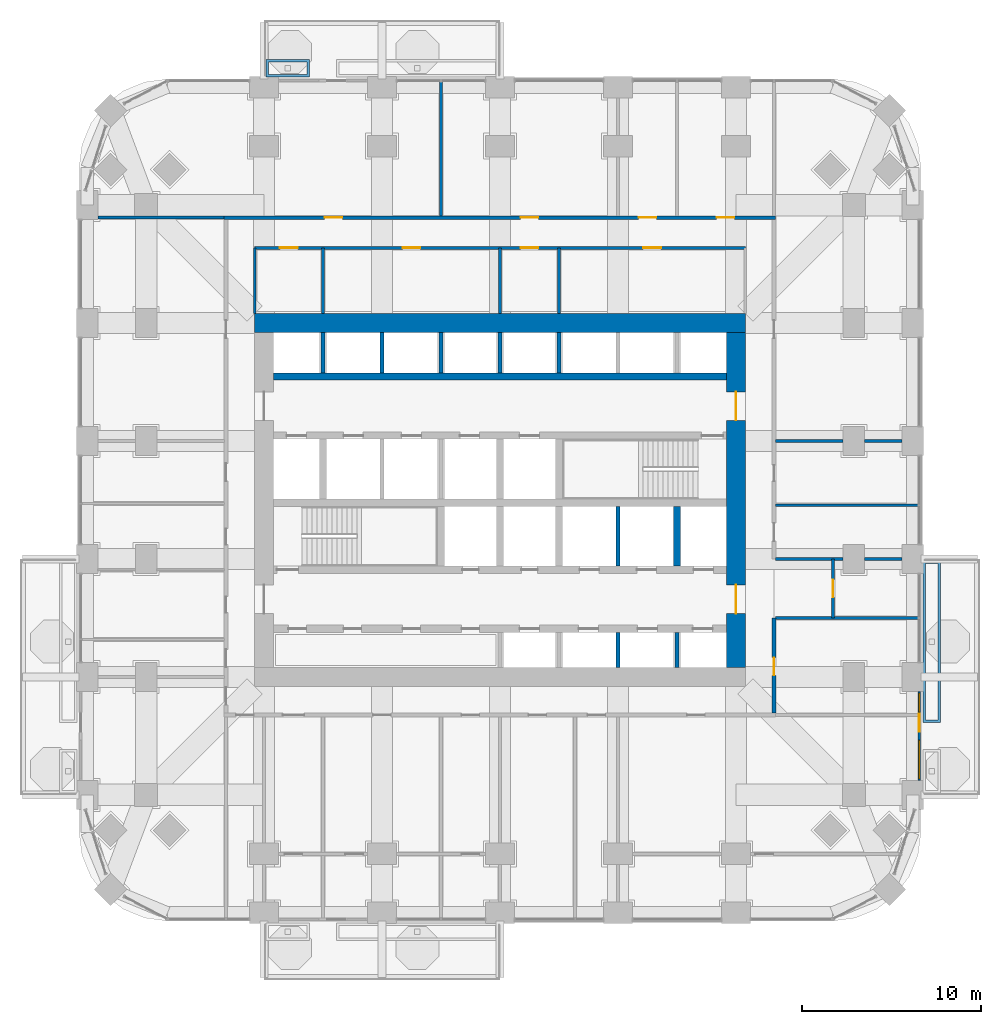
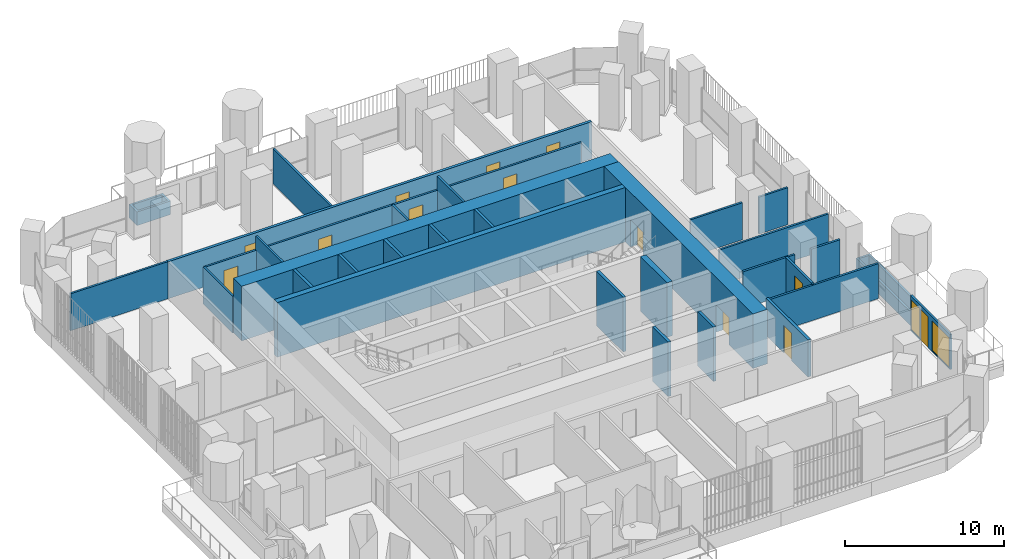
# One storey, part 15 of 21: 31 walls, 13 doors, 2 windows, 15 openings.
"""IFC4 building model written with IfcOpenShell, lengths in metres."""

from ifc_helpers import new_model, si_unit, direction, frame, frame_2d, origin, place, context, subcontext, project, spatial, polyline, rectangle, outline, extrude, material, layer, layer_set, type_object, element, fill, save


model = new_model("IFC4")

# Units and contexts
model_context = context("Model", 3, precision=1e-05, world=origin(), true_north=direction((0.0, 1.0)))
body_context = subcontext(model_context, "Body", "Model", "MODEL_VIEW")
ifc_project = project(units=[si_unit("LENGTHUNIT", "METRE"), si_unit("AREAUNIT", "SQUARE_METRE"), si_unit("VOLUMEUNIT", "CUBIC_METRE"), si_unit("PLANEANGLEUNIT", "RADIAN"), si_unit("MASSUNIT", "GRAM", prefix="KILO")], contexts=[model_context])

# Site, building, storey
site_placement = place(None, origin())
site = spatial("IfcSite", under=ifc_project, at=site_placement, CompositionType="ELEMENT")
building_placement = place(site_placement, origin())
building = spatial("IfcBuilding", under=site, at=building_placement, Name="Cobogo Forest Laboratory Tower", CompositionType="ELEMENT")
storey_placement = place(building_placement, frame((0.0, 0.0, 99.0)))
storey = spatial("IfcBuildingStorey", under=building, at=storey_placement, Name="L22", CompositionType="ELEMENT", Elevation=99.0)

# Walls
ifc_material_1 = material(Name="Concrete HA-50 (C50/60)", Category="concrete")
ifc_layer_1 = layer(ifc_material_1, 0.39990234375)
ifc_layer_set_1 = layer_set([ifc_layer_1], Name="CI400 core inner wall 400")
wall_type_1 = type_object("IfcWallType", Name="CI400 core inner wall 400", PredefinedType="SHEAR", material=ifc_layer_set_1)
wall_1_placement = place(storey_placement, frame((13.72509765625, 30.0, 0.0), z_axis=(0.0, 0.0, 1.0), x_axis=(1.0, 0.0, 0.0)))
element("IfcWall", 1, at=wall_1_placement, inside=storey, type_object=wall_type_1, Name="Core wall CI-30.0 L22", PredefinedType="SHEAR", context=body_context, shape_type="SweptSolid", body=[
    extrude(rectangle(XDim=25.349853515625, YDim=0.39990234375, at=frame_2d((12.6748046875, 0.0))), origin(), (0.0, 0.0, 1.0), 4.199951171875),
])
wall_2_placement = place(storey_placement, frame((36.300048828125, 19.39990234375, 0.0), z_axis=(0.0, 0.0, 1.0), x_axis=(0.0, 1.0, 0.0)))
element("IfcWall", 2, at=wall_2_placement, inside=storey, type_object=wall_type_1, Name="Core wall CX-36.3 L22", PredefinedType="SHEAR", context=body_context, shape_type="SweptSolid", body=[
    extrude(rectangle(XDim=3.35009765625, YDim=0.39990234375, at=frame_2d((1.675048828125, 0.0))), origin(), (0.0, 0.0, 1.0), 4.199951171875),
])

# Wall, openings, doors
ifc_layer_2 = layer(ifc_material_1, 1.050048828125)
ifc_layer_set_2 = layer_set([ifc_layer_2], Name="CW1050 core outer wall 1050")
wall_type_2 = type_object("IfcWallType", Name="CW1050 core outer wall 1050", PredefinedType="SHEAR", material=ifc_layer_set_2)
wall_3_placement = place(storey_placement, frame((39.60009765625, 13.72509765625, 0.0), z_axis=(0.0, 0.0, 1.0), x_axis=(0.0, 1.0, 0.0)))
wall_3 = element("IfcWall", 3, at=wall_3_placement, inside=storey, type_object=wall_type_2, Name="Core wall CO-E L22", PredefinedType="SHEAR", context=body_context, shape_type="SweptSolid", body=[
    extrude(rectangle(XDim=18.75, YDim=1.050048828125, at=frame_2d((9.375, 0.0))), origin(), (0.0, 0.0, 1.0), 4.199951171875),
])
opening_1_placement = place(wall_3_placement, frame((3.02490234375, 0.0, 0.0)))
opening_1 = element("IfcOpeningElement", 4, at=opening_1_placement, cuts=wall_3, Name="Opening L22-D24", PredefinedType="OPENING", context=body_context, shape_type="SweptSolid", body=[
    extrude(rectangle(XDim=1.60009765625, YDim=2.10009765625, at=frame_2d((0.800048828125, 1.050048828125))), frame((0.0, 0.534912109375, 0.0), z_axis=(0.0, -1.0, 0.0), x_axis=(1.0, 0.0, 0.0)), (0.0, 0.0, 1.0), 1.070068359375),
])
opening_2_placement = place(wall_3_placement, frame((13.824951171875, 0.0, 0.0)))
opening_2 = element("IfcOpeningElement", 5, at=opening_2_placement, cuts=wall_3, Name="Opening L22-D35", PredefinedType="OPENING", context=body_context, shape_type="SweptSolid", body=[
    extrude(rectangle(XDim=1.60009765625, YDim=2.10009765625, at=frame_2d((0.800048828125, 1.050048828125))), frame((0.0, 0.534912109375, 0.0), z_axis=(0.0, -1.0, 0.0), x_axis=(1.0, 0.0, 0.0)), (0.0, 0.0, 1.0), 1.070068359375),
])
ifc_material_2 = material(Name="Steel fire door", Category="steel")
door_type_1 = type_object("IfcDoorType", Name="DS2 protected lobby door pair 1600 EI2 60", OperationType="DOUBLE_DOOR_DOUBLE_SWING", PredefinedType="DOOR", material=ifc_material_2)
door_1_placement = place(opening_1_placement, origin())
door_1 = element("IfcDoor", 6, at=door_1_placement, inside=storey, type_object=door_type_1, Name="Door L22-CO-E-S", OperationType="DOUBLE_DOOR_DOUBLE_SWING", OverallHeight=2.10009765625, OverallWidth=1.60009765625, PredefinedType="DOOR", context=body_context, shape_type="SweptSolid", body=[
    extrude(rectangle(XDim=1.60009765625, YDim=2.10009765625, at=frame_2d((0.800048828125, 1.050048828125))), frame((0.0, 0.02490234375, 0.0), z_axis=(0.0, -1.0, 0.0), x_axis=(1.0, 0.0, 0.0)), (0.0, 0.0, 1.0), 0.050048828125),
])
fill(opening_1, door_1)
door_2_placement = place(opening_2_placement, origin())
door_2 = element("IfcDoor", 7, at=door_2_placement, inside=storey, type_object=door_type_1, Name="Door L22-CO-E-N", OperationType="DOUBLE_DOOR_DOUBLE_SWING", OverallHeight=2.10009765625, OverallWidth=1.60009765625, PredefinedType="DOOR", context=body_context, shape_type="SweptSolid", body=[
    extrude(rectangle(XDim=1.60009765625, YDim=2.10009765625, at=frame_2d((0.800048828125, 1.050048828125))), frame((0.0, 0.02490234375, 0.0), z_axis=(0.0, -1.0, 0.0), x_axis=(1.0, 0.0, 0.0)), (0.0, 0.0, 1.0), 0.050048828125),
])
fill(opening_2, door_2)

# Wall
wall_4_placement = place(storey_placement, frame((40.125, 33.0, 0.0), z_axis=(0.0, 0.0, 1.0), x_axis=(-1.0, 0.0, 0.0)))
element("IfcWall", 8, at=wall_4_placement, inside=storey, type_object=wall_type_2, Name="Core wall CO-N L22", PredefinedType="SHEAR", context=body_context, shape_type="SweptSolid", body=[
    extrude(rectangle(XDim=27.449951171875, YDim=1.050048828125, at=frame_2d((13.72509765625, 0.0))), origin(), (0.0, 0.0, 1.0), 4.199951171875),
])

# Wall, openings, door, windows
ifc_material_3 = material(Name="Aluminium framed glazed screen", Category="aluminium")
ifc_layer_3 = layer(ifc_material_3, 0.14990234375)
ifc_layer_set_3 = layer_set([ifc_layer_3], Name="GS1 glazed door screen 150")
wall_type_3 = type_object("IfcWallType", Name="GS1 glazed door screen 150", PredefinedType="SOLIDWALL", material=ifc_layer_set_3)
wall_5_placement = place(storey_placement, frame((49.85009765625, 7.39990234375, 0.0), z_axis=(0.0, 0.0, 1.0), x_axis=(0.0, 1.0, 0.0)))
wall_5 = element("IfcWall", 9, at=wall_5_placement, inside=storey, type_object=wall_type_3, Name="Door screen BAL-E1 L22", PredefinedType="SOLIDWALL", context=body_context, shape_type="SweptSolid", body=[
    extrude(rectangle(XDim=5.0, YDim=0.14990234375, at=frame_2d((2.5, 0.0))), origin(), (0.0, 0.0, 1.0), 2.699951171875),
])
opening_3_placement = place(wall_5_placement, frame((2.75, 0.0, 0.0)))
opening_3 = element("IfcOpeningElement", 10, at=opening_3_placement, cuts=wall_5, Name="Opening L22-D07", PredefinedType="OPENING", context=body_context, shape_type="SweptSolid", body=[
    extrude(rectangle(XDim=1.0, YDim=2.39990234375, at=frame_2d((0.5, 1.199951171875))), frame((0.0, 0.0849609375, 0.0), z_axis=(0.0, -1.0, 0.0), x_axis=(1.0, 0.0, 0.0)), (0.0, 0.0, 1.0), 0.169921875),
])
opening_4_placement = place(wall_5_placement, frame((0.10009765625, 0.0, 0.10009765625)))
opening_4 = element("IfcOpeningElement", 11, at=opening_4_placement, cuts=wall_5, Name="Opening L22-W04", PredefinedType="OPENING", context=body_context, shape_type="SweptSolid", body=[
    extrude(rectangle(XDim=2.14990234375, YDim=2.300048828125, at=frame_2d((1.074951171875, 1.14990234375))), frame((0.0, 0.0849609375, 0.0), z_axis=(0.0, -1.0, 0.0), x_axis=(1.0, 0.0, 0.0)), (0.0, 0.0, 1.0), 0.169921875),
])
opening_5_placement = place(wall_5_placement, frame((3.85009765625, 0.0, 0.10009765625)))
opening_5 = element("IfcOpeningElement", 12, at=opening_5_placement, cuts=wall_5, Name="Opening L22-W06", PredefinedType="OPENING", context=body_context, shape_type="SweptSolid", body=[
    extrude(rectangle(XDim=1.050048828125, YDim=2.300048828125, at=frame_2d((0.52490234375, 1.14990234375))), frame((0.0, 0.0849609375, 0.0), z_axis=(0.0, -1.0, 0.0), x_axis=(1.0, 0.0, 0.0)), (0.0, 0.0, 1.0), 0.169921875),
])
ifc_material_4 = material(Name="Aluminium glazed door", Category="aluminium")
door_type_2 = type_object("IfcDoorType", Name="DB1 balcony door 1000 glazed", OperationType="SINGLE_SWING_LEFT", PredefinedType="DOOR", material=ifc_material_4)
door_3_placement = place(opening_3_placement, origin())
door_3 = element("IfcDoor", 13, at=door_3_placement, inside=storey, type_object=door_type_2, Name="Door L22-BAL-E1", OperationType="SINGLE_SWING_RIGHT", OverallHeight=2.39990234375, OverallWidth=1.0, PredefinedType="DOOR", context=body_context, shape_type="SweptSolid", body=[
    extrude(rectangle(XDim=1.0, YDim=2.39990234375, at=frame_2d((0.5, 1.199951171875))), frame((0.0, 0.02490234375, 0.0), z_axis=(0.0, -1.0, 0.0), x_axis=(1.0, 0.0, 0.0)), (0.0, 0.0, 1.0), 0.050048828125),
])
fill(opening_3, door_3)
ifc_material_5 = material(Name="Aluminium framed glazing", Category="aluminium")
window_type_1 = type_object("IfcWindowType", Name="WG13 fixed glazed light 2150x2300", PartitioningType="SINGLE_PANEL", PredefinedType="WINDOW", material=ifc_material_5)
window_1_placement = place(opening_4_placement, origin())
window_1 = element("IfcWindow", 14, at=window_1_placement, inside=storey, type_object=window_type_1, Name="Window L22-BAL-E1-1", OverallHeight=2.300048828125, OverallWidth=2.14990234375, PartitioningType="SINGLE_PANEL", PredefinedType="WINDOW", context=body_context, shape_type="SweptSolid", body=[
    extrude(rectangle(XDim=2.14990234375, YDim=2.300048828125, at=frame_2d((1.074951171875, 1.14990234375))), frame((0.0, 0.030029296875, 0.0), z_axis=(0.0, -1.0, 0.0), x_axis=(1.0, 0.0, 0.0)), (0.0, 0.0, 1.0), 0.06005859375),
])
fill(opening_4, window_1)
window_type_2 = type_object("IfcWindowType", Name="WG14 fixed glazed light 1050x2300", PartitioningType="SINGLE_PANEL", PredefinedType="WINDOW", material=ifc_material_5)
window_2_placement = place(opening_5_placement, origin())
window_2 = element("IfcWindow", 15, at=window_2_placement, inside=storey, type_object=window_type_2, Name="Window L22-BAL-E1-2", OverallHeight=2.300048828125, OverallWidth=1.050048828125, PartitioningType="SINGLE_PANEL", PredefinedType="WINDOW", context=body_context, shape_type="SweptSolid", body=[
    extrude(rectangle(XDim=1.050048828125, YDim=2.300048828125, at=frame_2d((0.52490234375, 1.14990234375))), frame((0.0, 0.030029296875, 0.0), z_axis=(0.0, -1.0, 0.0), x_axis=(1.0, 0.0, 0.0)), (0.0, 0.0, 1.0), 0.06005859375),
])
fill(opening_5, window_2)

# Wall, openings, doors
ifc_material_6 = material(Name="Gypsum board on steel studs", Category="steel")
ifc_layer_4 = layer(ifc_material_6, 0.14990234375)
ifc_layer_set_4 = layer_set([ifc_layer_4], Name="PT1 laboratory partition 150")
wall_type_4 = type_object("IfcWallType", Name="PT1 laboratory partition 150", PredefinedType="PARTITIONING", material=ifc_layer_set_4)
wall_6_placement = place(storey_placement, frame((12.675048828125, 37.199951171875, 0.0), z_axis=(0.0, 0.0, 1.0), x_axis=(1.0, 0.0, 0.0)))
wall_6 = element("IfcWall", 16, at=wall_6_placement, inside=storey, type_object=wall_type_4, Name="Partition CSTRIP-N L22", PredefinedType="PARTITIONING", context=body_context, shape_type="SweptSolid", body=[
    extrude(rectangle(XDim=27.449951171875, YDim=0.14990234375, at=frame_2d((13.72509765625, 0.0))), origin(), (0.0, 0.0, 1.0), 2.85009765625),
])
opening_6_placement = place(wall_6_placement, frame((1.41259765625, 0.0, 0.0)))
opening_6 = element("IfcOpeningElement", 17, at=opening_6_placement, cuts=wall_6, Name="Opening L22-D38", PredefinedType="OPENING", context=body_context, shape_type="SweptSolid", body=[
    extrude(rectangle(XDim=1.0, YDim=2.10009765625, at=frame_2d((0.5, 1.050048828125))), frame((0.0, 0.0849609375, 0.0), z_axis=(0.0, -1.0, 0.0), x_axis=(1.0, 0.0, 0.0)), (0.0, 0.0, 1.0), 0.169921875),
])
opening_7_placement = place(wall_6_placement, frame((8.27490234375, 0.0, 0.0)))
opening_7 = element("IfcOpeningElement", 18, at=opening_7_placement, cuts=wall_6, Name="Opening L22-D39", PredefinedType="OPENING", context=body_context, shape_type="SweptSolid", body=[
    extrude(rectangle(XDim=1.0, YDim=2.10009765625, at=frame_2d((0.5, 1.050048828125))), frame((0.0, 0.0849609375, 0.0), z_axis=(0.0, -1.0, 0.0), x_axis=(1.0, 0.0, 0.0)), (0.0, 0.0, 1.0), 0.169921875),
])
opening_8_placement = place(wall_6_placement, frame((14.875, 0.0, 0.0)))
opening_8 = element("IfcOpeningElement", 19, at=opening_8_placement, cuts=wall_6, Name="Opening L22-D40", PredefinedType="OPENING", context=body_context, shape_type="SweptSolid", body=[
    extrude(rectangle(XDim=1.0, YDim=2.10009765625, at=frame_2d((0.5, 1.050048828125))), frame((0.0, 0.0849609375, 0.0), z_axis=(0.0, -1.0, 0.0), x_axis=(1.0, 0.0, 0.0)), (0.0, 0.0, 1.0), 0.169921875),
])
opening_9_placement = place(wall_6_placement, frame((21.737548828125, 0.0, 0.0)))
opening_9 = element("IfcOpeningElement", 20, at=opening_9_placement, cuts=wall_6, Name="Opening L22-D41", PredefinedType="OPENING", context=body_context, shape_type="SweptSolid", body=[
    extrude(rectangle(XDim=1.0, YDim=2.10009765625, at=frame_2d((0.5, 1.050048828125))), frame((0.0, 0.0849609375, 0.0), z_axis=(0.0, -1.0, 0.0), x_axis=(1.0, 0.0, 0.0)), (0.0, 0.0, 1.0), 0.169921875),
])
ifc_material_7 = material(Name="Timber fire door", Category="wood")
door_type_3 = type_object("IfcDoorType", Name="FD2 fire door 1000 EI2 30", OperationType="SINGLE_SWING_LEFT", PredefinedType="DOOR", material=ifc_material_7)
door_4_placement = place(opening_6_placement, origin())
door_4 = element("IfcDoor", 21, at=door_4_placement, inside=storey, type_object=door_type_3, Name="Door L22-CSN1", OperationType="SINGLE_SWING_LEFT", OverallHeight=2.10009765625, OverallWidth=1.0, PredefinedType="DOOR", context=body_context, shape_type="SweptSolid", body=[
    extrude(rectangle(XDim=1.0, YDim=2.10009765625, at=frame_2d((0.5, 1.050048828125))), frame((0.0, 0.02490234375, 0.0), z_axis=(0.0, -1.0, 0.0), x_axis=(1.0, 0.0, 0.0)), (0.0, 0.0, 1.0), 0.050048828125),
])
fill(opening_6, door_4)
door_5_placement = place(opening_7_placement, origin())
door_5 = element("IfcDoor", 22, at=door_5_placement, inside=storey, type_object=door_type_3, Name="Door L22-CSN2", OperationType="SINGLE_SWING_LEFT", OverallHeight=2.10009765625, OverallWidth=1.0, PredefinedType="DOOR", context=body_context, shape_type="SweptSolid", body=[
    extrude(rectangle(XDim=1.0, YDim=2.10009765625, at=frame_2d((0.5, 1.050048828125))), frame((0.0, 0.02490234375, 0.0), z_axis=(0.0, -1.0, 0.0), x_axis=(1.0, 0.0, 0.0)), (0.0, 0.0, 1.0), 0.050048828125),
])
fill(opening_7, door_5)
door_6_placement = place(opening_8_placement, origin())
door_6 = element("IfcDoor", 23, at=door_6_placement, inside=storey, type_object=door_type_3, Name="Door L22-CSN3", OperationType="SINGLE_SWING_RIGHT", OverallHeight=2.10009765625, OverallWidth=1.0, PredefinedType="DOOR", context=body_context, shape_type="SweptSolid", body=[
    extrude(rectangle(XDim=1.0, YDim=2.10009765625, at=frame_2d((0.5, 1.050048828125))), frame((0.0, 0.02490234375, 0.0), z_axis=(0.0, -1.0, 0.0), x_axis=(1.0, 0.0, 0.0)), (0.0, 0.0, 1.0), 0.050048828125),
])
fill(opening_8, door_6)
door_7_placement = place(opening_9_placement, origin())
door_7 = element("IfcDoor", 24, at=door_7_placement, inside=storey, type_object=door_type_3, Name="Door L22-CSN4", OperationType="SINGLE_SWING_RIGHT", OverallHeight=2.10009765625, OverallWidth=1.0, PredefinedType="DOOR", context=body_context, shape_type="SweptSolid", body=[
    extrude(rectangle(XDim=1.0, YDim=2.10009765625, at=frame_2d((0.5, 1.050048828125))), frame((0.0, 0.02490234375, 0.0), z_axis=(0.0, -1.0, 0.0), x_axis=(1.0, 0.0, 0.0)), (0.0, 0.0, 1.0), 0.050048828125),
])
fill(opening_9, door_7)

# Walls
wall_7_placement = place(storey_placement, frame((12.675048828125, 33.52490234375, 0.0), z_axis=(0.0, 0.0, 1.0), x_axis=(0.0, 1.0, 0.0)))
element("IfcWall", 25, at=wall_7_placement, inside=storey, type_object=wall_type_4, Name="Partition CSTRIP-NW L22", PredefinedType="PARTITIONING", context=body_context, shape_type="SweptSolid", body=[
    extrude(rectangle(XDim=3.675048828125, YDim=0.14990234375, at=frame_2d((1.83740234375, 0.0))), origin(), (0.0, 0.0, 1.0), 2.85009765625),
])
wall_8_placement = place(storey_placement, frame((16.5, 33.52490234375, 0.0), z_axis=(0.0, 0.0, 1.0), x_axis=(0.0, 1.0, 0.0)))
element("IfcWall", 26, at=wall_8_placement, inside=storey, type_object=wall_type_4, Name="Partition CSTRIP-N16.5 L22", PredefinedType="PARTITIONING", context=body_context, shape_type="SweptSolid", body=[
    extrude(rectangle(XDim=3.675048828125, YDim=0.14990234375, at=frame_2d((1.83740234375, 0.0))), origin(), (0.0, 0.0, 1.0), 3.89990234375),
])
wall_9_placement = place(storey_placement, frame((26.39990234375, 33.52490234375, 0.0), z_axis=(0.0, 0.0, 1.0), x_axis=(0.0, 1.0, 0.0)))
element("IfcWall", 27, at=wall_9_placement, inside=storey, type_object=wall_type_4, Name="Partition CSTRIP-N26.4 L22", PredefinedType="PARTITIONING", context=body_context, shape_type="SweptSolid", body=[
    extrude(rectangle(XDim=3.675048828125, YDim=0.14990234375, at=frame_2d((1.83740234375, 0.0))), origin(), (0.0, 0.0, 1.0), 2.85009765625),
])
wall_10_placement = place(storey_placement, frame((29.699951171875, 33.52490234375, 0.0), z_axis=(0.0, 0.0, 1.0), x_axis=(0.0, 1.0, 0.0)))
element("IfcWall", 28, at=wall_10_placement, inside=storey, type_object=wall_type_4, Name="Partition CSTRIP-N29.7 L22", PredefinedType="PARTITIONING", context=body_context, shape_type="SweptSolid", body=[
    extrude(rectangle(XDim=3.675048828125, YDim=0.14990234375, at=frame_2d((1.83740234375, 0.0))), origin(), (0.0, 0.0, 1.0), 3.89990234375),
])
wall_11_placement = place(storey_placement, frame((3.89990234375, 38.89990234375, 0.0), z_axis=(0.0, 0.0, 1.0), x_axis=(1.0, 0.0, 0.0)))
element("IfcWall", 29, at=wall_11_placement, inside=storey, type_object=wall_type_4, Name="Partition PW-NW L22", PredefinedType="PARTITIONING", context=body_context, shape_type="SweptSolid", body=[
    extrude(rectangle(XDim=7.0751953125, YDim=0.14990234375, at=frame_2d((3.53759765625, 0.0))), origin(), (0.0, 0.0, 1.0), 2.85009765625),
])

# Wall, opening, door
wall_12_placement = place(storey_placement, frame((45.02490234375, 16.5, 0.0), z_axis=(0.0, 0.0, 1.0), x_axis=(0.0, 1.0, 0.0)))
wall_12 = element("IfcWall", 30, at=wall_12_placement, inside=storey, type_object=wall_type_4, Name="Partition NODE-E-1 L22", PredefinedType="PARTITIONING", context=body_context, shape_type="SweptSolid", body=[
    extrude(rectangle(XDim=3.300048828125, YDim=0.14990234375, at=frame_2d((1.64990234375, 0.0))), origin(), (0.0, 0.0, 1.0), 2.85009765625),
])
opening_10_placement = place(wall_12_placement, frame((1.14990234375, 0.0, 0.0)))
opening_10 = element("IfcOpeningElement", 31, at=opening_10_placement, cuts=wall_12, Name="Opening L22-D25", PredefinedType="OPENING", context=body_context, shape_type="SweptSolid", body=[
    extrude(rectangle(XDim=1.0, YDim=2.10009765625, at=frame_2d((0.5, 1.050048828125))), frame((0.0, 0.0849609375, 0.0), z_axis=(0.0, -1.0, 0.0), x_axis=(1.0, 0.0, 0.0)), (0.0, 0.0, 1.0), 0.169921875),
])
door_8_placement = place(opening_10_placement, origin())
door_8 = element("IfcDoor", 32, at=door_8_placement, inside=storey, type_object=door_type_3, Name="Door L22-E2", OperationType="SINGLE_SWING_LEFT", OverallHeight=2.10009765625, OverallWidth=1.0, PredefinedType="DOOR", context=body_context, shape_type="SweptSolid", body=[
    extrude(rectangle(XDim=1.0, YDim=2.10009765625, at=frame_2d((0.5, 1.050048828125))), frame((0.0, 0.02490234375, 0.0), z_axis=(0.0, -1.0, 0.0), x_axis=(1.0, 0.0, 0.0)), (0.0, 0.0, 1.0), 0.050048828125),
])
fill(opening_10, door_8)

# Walls
wall_13_placement = place(storey_placement, frame((49.77001953125, 22.800048828125, 0.0), z_axis=(0.0, 0.0, 1.0), x_axis=(-1.0, 0.0, 0.0)))
element("IfcWall", 33, at=wall_13_placement, inside=storey, type_object=wall_type_4, Name="Partition SVC-E1-1 L22", PredefinedType="PARTITIONING", context=body_context, shape_type="SweptSolid", body=[
    extrude(rectangle(XDim=7.945068359375, YDim=0.14990234375, at=frame_2d((3.97265625, 0.0))), origin(), (0.0, 0.0, 1.0), 2.699951171875),
])
wall_14_placement = place(storey_placement, frame((48.89990234375, 26.39990234375, 0.0), z_axis=(0.0, 0.0, 1.0), x_axis=(-1.0, 0.0, 0.0)))
element("IfcWall", 34, at=wall_14_placement, inside=storey, type_object=wall_type_4, Name="Partition SVC-E2-1 L22", PredefinedType="PARTITIONING", context=body_context, shape_type="SweptSolid", body=[
    extrude(rectangle(XDim=2.099853515625, YDim=0.14990234375, at=frame_2d((1.0498046875, 0.0))), origin(), (0.0, 0.0, 1.0), 2.85009765625),
])
wall_15_placement = place(storey_placement, frame((45.60009765625, 26.39990234375, 0.0), z_axis=(0.0, 0.0, 1.0), x_axis=(-1.0, 0.0, 0.0)))
element("IfcWall", 35, at=wall_15_placement, inside=storey, type_object=wall_type_4, Name="Partition SVC-E2-2 L22", PredefinedType="PARTITIONING", context=body_context, shape_type="SweptSolid", body=[
    extrude(rectangle(XDim=3.775146484375, YDim=0.14990234375, at=frame_2d((1.8876953125, 0.0))), origin(), (0.0, 0.0, 1.0), 2.85009765625),
])
wall_16_placement = place(storey_placement, frame((49.77001953125, 16.5, 0.0), z_axis=(0.0, 0.0, 1.0), x_axis=(-1.0, 0.0, 0.0)))
element("IfcWall", 36, at=wall_16_placement, inside=storey, type_object=wall_type_4, Name="Partition CUT-E16.5-1 L22", PredefinedType="PARTITIONING", context=body_context, shape_type="SweptSolid", body=[
    extrude(rectangle(XDim=7.945068359375, YDim=0.14990234375, at=frame_2d((3.97265625, 0.0))), origin(), (0.0, 0.0, 1.0), 2.699951171875),
])
wall_17_placement = place(storey_placement, frame((48.89990234375, 19.800048828125, 0.0), z_axis=(0.0, 0.0, 1.0), x_axis=(-1.0, 0.0, 0.0)))
element("IfcWall", 37, at=wall_17_placement, inside=storey, type_object=wall_type_4, Name="Partition CUT-E19.8-1 L22", PredefinedType="PARTITIONING", context=body_context, shape_type="SweptSolid", body=[
    extrude(rectangle(XDim=2.099853515625, YDim=0.14990234375, at=frame_2d((1.0498046875, 0.0))), origin(), (0.0, 0.0, 1.0), 2.85009765625),
])
wall_18_placement = place(storey_placement, frame((45.60009765625, 19.800048828125, 0.0), z_axis=(0.0, 0.0, 1.0), x_axis=(-1.0, 0.0, 0.0)))
element("IfcWall", 38, at=wall_18_placement, inside=storey, type_object=wall_type_4, Name="Partition CUT-E19.8-2 L22", PredefinedType="PARTITIONING", context=body_context, shape_type="SweptSolid", body=[
    extrude(rectangle(XDim=3.775146484375, YDim=0.14990234375, at=frame_2d((1.8876953125, 0.0))), origin(), (0.0, 0.0, 1.0), 2.85009765625),
])
wall_19_placement = place(storey_placement, frame((23.10009765625, 46.469970703125, 0.0), z_axis=(0.0, 0.0, 1.0), x_axis=(0.0, -1.0, 0.0)))
element("IfcWall", 39, at=wall_19_placement, inside=storey, type_object=wall_type_4, Name="Partition CUT-N23.1-1 L22", PredefinedType="PARTITIONING", context=body_context, shape_type="SweptSolid", body=[
    extrude(rectangle(XDim=7.469970703125, YDim=0.14990234375, at=frame_2d((3.73486328125, 0.0))), origin(), (0.0, 0.0, 1.0), 2.699951171875),
])

# Wall, openings, doors
ifc_layer_5 = layer(ifc_material_6, 0.199951171875)
ifc_layer_set_5 = layer_set([ifc_layer_5], Name="PT2 fire-rated corridor partition 200")
wall_type_5 = type_object("IfcWallType", Name="PT2 fire-rated corridor partition 200", PredefinedType="PARTITIONING", material=ifc_layer_set_5)
wall_20_placement = place(storey_placement, frame((10.97509765625, 38.89990234375, 0.0), z_axis=(0.0, 0.0, 1.0), x_axis=(1.0, 0.0, 0.0)))
wall_20 = element("IfcWall", 40, at=wall_20_placement, inside=storey, type_object=wall_type_5, Name="Partition CORR-N L22", PredefinedType="PARTITIONING", context=body_context, shape_type="SweptSolid", body=[
    extrude(rectangle(XDim=30.849853515625, YDim=0.199951171875, at=frame_2d((15.4248046875, 0.0))), origin(), (0.0, 0.0, 1.0), 2.85009765625),
])
opening_11_placement = place(wall_20_placement, frame((5.612548828125, 0.0, 0.0)))
opening_11 = element("IfcOpeningElement", 41, at=opening_11_placement, cuts=wall_20, Name="Opening L22-D42", PredefinedType="OPENING", context=body_context, shape_type="SweptSolid", body=[
    extrude(rectangle(XDim=1.0, YDim=2.10009765625, at=frame_2d((0.5, 1.050048828125))), frame((0.0, 0.10986328125, 0.0), z_axis=(0.0, -1.0, 0.0), x_axis=(1.0, 0.0, 0.0)), (0.0, 0.0, 1.0), 0.219970703125),
])
opening_12_placement = place(wall_20_placement, frame((16.574951171875, 0.0, 0.0)))
opening_12 = element("IfcOpeningElement", 42, at=opening_12_placement, cuts=wall_20, Name="Opening L22-D43", PredefinedType="OPENING", context=body_context, shape_type="SweptSolid", body=[
    extrude(rectangle(XDim=1.0, YDim=2.10009765625, at=frame_2d((0.5, 1.050048828125))), frame((0.0, 0.10986328125, 0.0), z_axis=(0.0, -1.0, 0.0), x_axis=(1.0, 0.0, 0.0)), (0.0, 0.0, 1.0), 0.219970703125),
])
opening_13_placement = place(wall_20_placement, frame((23.175048828125, 0.0, 0.0)))
opening_13 = element("IfcOpeningElement", 43, at=opening_13_placement, cuts=wall_20, Name="Opening L22-D44", PredefinedType="OPENING", context=body_context, shape_type="SweptSolid", body=[
    extrude(rectangle(XDim=1.0, YDim=2.10009765625, at=frame_2d((0.5, 1.050048828125))), frame((0.0, 0.10986328125, 0.0), z_axis=(0.0, -1.0, 0.0), x_axis=(1.0, 0.0, 0.0)), (0.0, 0.0, 1.0), 0.219970703125),
])
opening_14_placement = place(wall_20_placement, frame((27.53759765625, 0.0, 0.0)))
opening_14 = element("IfcOpeningElement", 44, at=opening_14_placement, cuts=wall_20, Name="Opening L22-D45", PredefinedType="OPENING", context=body_context, shape_type="SweptSolid", body=[
    extrude(rectangle(XDim=1.0, YDim=2.10009765625, at=frame_2d((0.5, 1.050048828125))), frame((0.0, 0.10986328125, 0.0), z_axis=(0.0, -1.0, 0.0), x_axis=(1.0, 0.0, 0.0)), (0.0, 0.0, 1.0), 0.219970703125),
])
door_type_4 = type_object("IfcDoorType", Name="FD1 fire door 1000 EI2 60", OperationType="SINGLE_SWING_LEFT", PredefinedType="DOOR", material=ifc_material_2)
door_9_placement = place(opening_13_placement, origin())
door_9 = element("IfcDoor", 45, at=door_9_placement, inside=storey, type_object=door_type_4, Name="Door L22-N3", OperationType="SINGLE_SWING_RIGHT", OverallHeight=2.10009765625, OverallWidth=1.0, PredefinedType="DOOR", context=body_context, shape_type="SweptSolid", body=[
    extrude(rectangle(XDim=1.0, YDim=2.10009765625, at=frame_2d((0.5, 1.050048828125))), frame((0.0, 0.02490234375, 0.0), z_axis=(0.0, -1.0, 0.0), x_axis=(1.0, 0.0, 0.0)), (0.0, 0.0, 1.0), 0.050048828125),
])
fill(opening_13, door_9)
door_10_placement = place(opening_11_placement, origin())
door_10 = element("IfcDoor", 46, at=door_10_placement, inside=storey, type_object=door_type_3, Name="Door L22-N1", OperationType="SINGLE_SWING_LEFT", OverallHeight=2.10009765625, OverallWidth=1.0, PredefinedType="DOOR", context=body_context, shape_type="SweptSolid", body=[
    extrude(rectangle(XDim=1.0, YDim=2.10009765625, at=frame_2d((0.5, 1.050048828125))), frame((0.0, 0.02490234375, 0.0), z_axis=(0.0, -1.0, 0.0), x_axis=(1.0, 0.0, 0.0)), (0.0, 0.0, 1.0), 0.050048828125),
])
fill(opening_11, door_10)
door_11_placement = place(opening_12_placement, origin())
door_11 = element("IfcDoor", 47, at=door_11_placement, inside=storey, type_object=door_type_3, Name="Door L22-N2", OperationType="SINGLE_SWING_RIGHT", OverallHeight=2.10009765625, OverallWidth=1.0, PredefinedType="DOOR", context=body_context, shape_type="SweptSolid", body=[
    extrude(rectangle(XDim=1.0, YDim=2.10009765625, at=frame_2d((0.5, 1.050048828125))), frame((0.0, 0.02490234375, 0.0), z_axis=(0.0, -1.0, 0.0), x_axis=(1.0, 0.0, 0.0)), (0.0, 0.0, 1.0), 0.050048828125),
])
fill(opening_12, door_11)
door_12_placement = place(opening_14_placement, origin())
door_12 = element("IfcDoor", 48, at=door_12_placement, inside=storey, type_object=door_type_3, Name="Door L22-N4", OperationType="SINGLE_SWING_RIGHT", OverallHeight=2.10009765625, OverallWidth=1.0, PredefinedType="DOOR", context=body_context, shape_type="SweptSolid", body=[
    extrude(rectangle(XDim=1.0, YDim=2.10009765625, at=frame_2d((0.5, 1.050048828125))), frame((0.0, 0.02490234375, 0.0), z_axis=(0.0, -1.0, 0.0), x_axis=(1.0, 0.0, 0.0)), (0.0, 0.0, 1.0), 0.050048828125),
])
fill(opening_14, door_12)

# Wall, opening, door
wall_21_placement = place(storey_placement, frame((41.72509765625, 11.175048828125, 0.0), z_axis=(0.0, 0.0, 1.0), x_axis=(0.0, 1.0, 0.0)))
wall_21 = element("IfcWall", 49, at=wall_21_placement, inside=storey, type_object=wall_type_5, Name="Partition CORR-E-1 L22", PredefinedType="PARTITIONING", context=body_context, shape_type="SweptSolid", body=[
    extrude(rectangle(XDim=5.324951171875, YDim=0.199951171875, at=frame_2d((2.66259765625, 0.0))), origin(), (0.0, 0.0, 1.0), 2.85009765625),
])
opening_15_placement = place(wall_21_placement, frame((2.112548828125, 0.0, 0.0)))
opening_15 = element("IfcOpeningElement", 50, at=opening_15_placement, cuts=wall_21, Name="Opening L22-D16", PredefinedType="OPENING", context=body_context, shape_type="SweptSolid", body=[
    extrude(rectangle(XDim=1.0, YDim=2.10009765625, at=frame_2d((0.5, 1.050048828125))), frame((0.0, 0.10986328125, 0.0), z_axis=(0.0, -1.0, 0.0), x_axis=(1.0, 0.0, 0.0)), (0.0, 0.0, 1.0), 0.219970703125),
])
door_13_placement = place(opening_15_placement, origin())
door_13 = element("IfcDoor", 51, at=door_13_placement, inside=storey, type_object=door_type_3, Name="Door L22-E1", OperationType="SINGLE_SWING_LEFT", OverallHeight=2.10009765625, OverallWidth=1.0, PredefinedType="DOOR", context=body_context, shape_type="SweptSolid", body=[
    extrude(rectangle(XDim=1.0, YDim=2.10009765625, at=frame_2d((0.5, 1.050048828125))), frame((0.0, 0.02490234375, 0.0), z_axis=(0.0, -1.0, 0.0), x_axis=(1.0, 0.0, 0.0)), (0.0, 0.0, 1.0), 0.050048828125),
])
fill(opening_15, door_13)

# Walls
ifc_material_8 = material(Name="Concrete HA-40 (C40/50)", Category="concrete")
ifc_layer_6 = layer(ifc_material_8, 0.14990234375)
ifc_layer_set_6 = layer_set([ifc_layer_6], Name="Planter box 1000x1050")
wall_type_6 = type_object("IfcWallType", Name="Planter box 1000x1050", PredefinedType="USERDEFINED", material=ifc_layer_set_6)
wall_22_placement = place(storey_placement, origin())
element("IfcWall", 52, at=wall_22_placement, inside=storey, type_object=wall_type_6, Name="Planter BAL-E1-2 L22", ObjectType="PLANTER", PredefinedType="USERDEFINED", context=body_context, shape_type="SweptSolid", body=[
    extrude(outline(polyline([(50.050048828125, 10.64990234375), (51.050048828125, 10.64990234375), (51.050048828125, 19.699951171875), (50.050048828125, 19.699951171875), (50.050048828125, 10.64990234375)]), holes=[polyline([(50.199951171875, 10.800048828125), (50.89990234375, 10.800048828125), (50.89990234375, 19.550048828125), (50.199951171875, 19.550048828125), (50.199951171875, 10.800048828125)])]), origin(), (0.0, 0.0, 1.0), 1.050048828125),
])
wall_23_placement = place(storey_placement, origin())
element("IfcWall", 53, at=wall_23_placement, inside=storey, type_object=wall_type_6, Name="Planter BAL-N1-1 L22", ObjectType="PLANTER", PredefinedType="USERDEFINED", context=body_context, shape_type="SweptSolid", body=[
    extrude(outline(polyline([(13.300048828125, 46.75), (15.75, 46.75), (15.75, 47.75), (13.300048828125, 47.75), (13.300048828125, 46.75)]), holes=[polyline([(13.449951171875, 46.89990234375), (15.60009765625, 46.89990234375), (15.60009765625, 47.60009765625), (13.449951171875, 47.60009765625), (13.449951171875, 46.89990234375)])]), origin(), (0.0, 0.0, 1.0), 1.050048828125),
])
ifc_material_9 = material(Name="Concrete block", Category="concrete")
ifc_layer_7 = layer(ifc_material_9, 0.199951171875)
ifc_layer_set_7 = layer_set([ifc_layer_7], Name="SW200 lift shaft separator 200")
wall_type_7 = type_object("IfcWallType", Name="SW200 lift shaft separator 200", PredefinedType="PARTITIONING", material=ifc_layer_set_7)
for number, where, z_axis, x_axis, name in (
    (54, (16.5, 30.199951171875, 0.0), (0.0, 0.0, 1.0), (0.0, 1.0, 0.0), "Core wall SEP-N1 L22"),
    (55, (19.800048828125, 30.199951171875, 0.0), (0.0, 0.0, 1.0), (0.0, 1.0, 0.0), "Core wall SEP-N2 L22"),
    (56, (23.10009765625, 30.199951171875, 0.0), (0.0, 0.0, 1.0), (0.0, 1.0, 0.0), "Core wall SEP-N3 L22"),
    (57, (26.39990234375, 30.199951171875, 0.0), (0.0, 0.0, 1.0), (0.0, 1.0, 0.0), "Core wall SEP-N4 L22"),
    (58, (29.699951171875, 30.199951171875, 0.0), (0.0, 0.0, 1.0), (0.0, 1.0, 0.0), "Core wall SEP-N5 L22"),
):
    element("IfcWall", number, at=place(storey_placement, frame(where, z_axis=z_axis, x_axis=x_axis)), inside=storey, type_object=wall_type_7, Name=name, PredefinedType="PARTITIONING", context=body_context, shape_type="SweptSolid", body=[
        extrude(rectangle(XDim=2.275146484375, YDim=0.199951171875, at=frame_2d((1.1376953125, 0.0))), origin(), (0.0, 0.0, 1.0), 4.199951171875),
    ])
for number, where, z_axis, x_axis, name in (
    (59, (33.0, 13.72509765625, 0.0), (0.0, 0.0, 1.0), (0.0, 1.0, 0.0), "Core wall SEP-S6 L22"),
    (60, (36.300048828125, 13.72509765625, 0.0), (0.0, 0.0, 1.0), (0.0, 1.0, 0.0), "Core wall SEP-S7 L22"),
):
    element("IfcWall", number, at=place(storey_placement, frame(where, z_axis=z_axis, x_axis=x_axis)), inside=storey, type_object=wall_type_7, Name=name, PredefinedType="PARTITIONING", context=body_context, shape_type="SweptSolid", body=[
        extrude(rectangle(XDim=1.974853515625, YDim=0.199951171875, at=frame_2d((0.9873046875, 0.0))), origin(), (0.0, 0.0, 1.0), 4.199951171875),
    ])
wall_24_placement = place(storey_placement, frame((33.0, 19.39990234375, 0.0), z_axis=(0.0, 0.0, 1.0), x_axis=(0.0, 1.0, 0.0)))
element("IfcWall", 61, at=wall_24_placement, inside=storey, type_object=wall_type_7, Name="Core wall SEP-M33.0 L22", PredefinedType="PARTITIONING", context=body_context, shape_type="SweptSolid", body=[
    extrude(rectangle(XDim=3.35009765625, YDim=0.199951171875, at=frame_2d((1.675048828125, 0.0))), origin(), (0.0, 0.0, 1.0), 4.199951171875),
])

save(model, "model.ifc")
